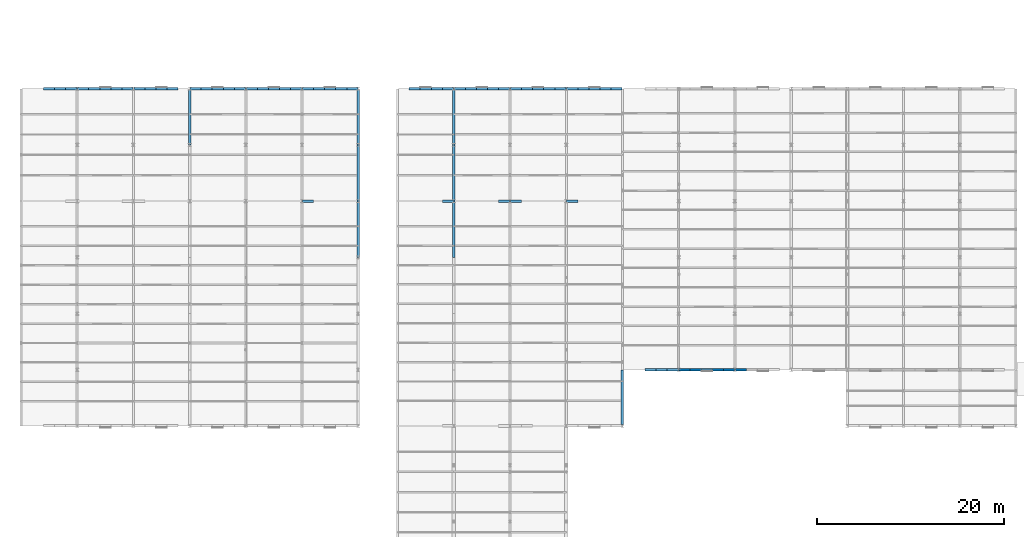
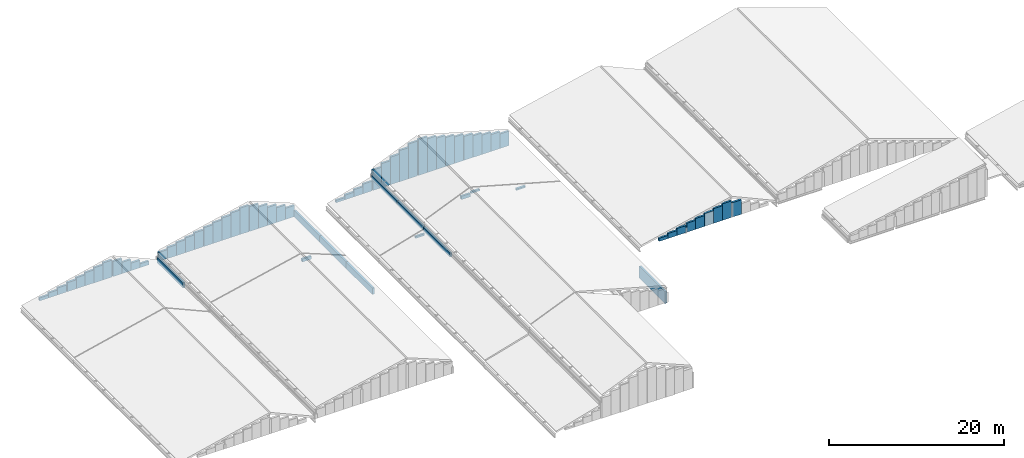
# One storey, part 63 of 74: 68 walls.
"""IFC4 building model written with IfcOpenShell, lengths in metres."""

from ifc_helpers import new_model, si_unit, direction, frame, frame_2d, origin, place, context, subcontext, project, spatial, rectangle, extrude, material, layer, layer_set, type_object, element, save


model = new_model("IFC4")

# Units and contexts
model_context = context("Model", 3, precision=1e-05, world=origin(), true_north=direction((0.0, 1.0)))
body_context = subcontext(model_context, "Body", "Model", "MODEL_VIEW")
ifc_project = project(units=[si_unit("LENGTHUNIT", "METRE"), si_unit("AREAUNIT", "SQUARE_METRE"), si_unit("VOLUMEUNIT", "CUBIC_METRE"), si_unit("PLANEANGLEUNIT", "RADIAN"), si_unit("MASSUNIT", "GRAM", prefix="KILO")], contexts=[model_context])

# Site, building, storey
site_placement = place(None, origin())
site = spatial("IfcSite", under=ifc_project, at=site_placement, CompositionType="ELEMENT")
building_placement = place(site_placement, origin())
building = spatial("IfcBuilding", under=site, at=building_placement, Name="Siltcreek Boulevard Central Fire Station", CompositionType="ELEMENT")
storey_placement = place(building_placement, frame((0.0, 0.0, 25.199951171875)))
storey = spatial("IfcBuildingStorey", under=building, at=storey_placement, Name="RF", CompositionType="ELEMENT", Elevation=25.199951171875)

# Walls
ifc_material = material(Name="Western Red Cedar insulated gable wall", Category="wood")
ifc_layer = layer(ifc_material, 0.264892578125, Name="Western Red Cedar insulated gable wall")
ifc_layer_set = layer_set([ifc_layer], Name="Western Red Cedar insulated gable wall")
wall_type = type_object("IfcWallType", Name="EW_CEDAR265", PredefinedType="STANDARD", material=ifc_layer_set)
wall_1_placement = place(storey_placement, frame((47.955078125, 42.0, -14.125), z_axis=(0.0, 0.0, 1.0), x_axis=(-1.0, 0.0, 0.0)))
element("IfcWall", 1, at=wall_1_placement, inside=storey, type_object=wall_type, Name="Roof gable timber-lined enclosure wall RF-H3-HL-0006", PredefinedType="STANDARD", context=body_context, shape_type="SweptSolid", body=[
    extrude(rectangle(XDim=1.18212890625, YDim=0.264892578125, at=frame_2d((0.591064453125, 0.0))), origin(), (0.0, 0.0, 1.0), 0.246826171875),
])
wall_2_placement = place(storey_placement, frame((44.408935546875, 54.0, -15.199951171875), z_axis=(0.0, 0.0, 1.0), x_axis=(-1.0, 0.0, 0.0)))
element("IfcWall", 2, at=wall_2_placement, inside=storey, type_object=wall_type, Name="Roof gable timber-lined enclosure wall RF-H3-DC-0007", PredefinedType="STANDARD", context=body_context, shape_type="SweptSolid", body=[
    extrude(rectangle(XDim=1.181884765625, YDim=0.264892578125, at=frame_2d((0.5908203125, 0.0))), origin(), (0.0, 0.0, 1.0), 0.308349609375),
])
wall_3_placement = place(storey_placement, frame((45.591064453125, 54.0, -15.199951171875), z_axis=(0.0, 0.0, 1.0), x_axis=(-1.0, 0.0, 0.0)))
element("IfcWall", 3, at=wall_3_placement, inside=storey, type_object=wall_type, Name="Roof gable timber-lined enclosure wall RF-H3-DC-0008", PredefinedType="STANDARD", context=body_context, shape_type="SweptSolid", body=[
    extrude(rectangle(XDim=1.18212890625, YDim=0.264892578125, at=frame_2d((0.591064453125, 0.0))), origin(), (0.0, 0.0, 1.0), 0.653076171875),
])
wall_4_placement = place(storey_placement, frame((46.77294921875, 54.0, -15.199951171875), z_axis=(0.0, 0.0, 1.0), x_axis=(-1.0, 0.0, 0.0)))
element("IfcWall", 4, at=wall_4_placement, inside=storey, type_object=wall_type, Name="Roof gable timber-lined enclosure wall RF-H3-DC-0009", PredefinedType="STANDARD", context=body_context, shape_type="SweptSolid", body=[
    extrude(rectangle(XDim=1.181884765625, YDim=0.264892578125, at=frame_2d((0.5908203125, 0.0))), origin(), (0.0, 0.0, 1.0), 0.997802734375),
])
wall_5_placement = place(storey_placement, frame((47.955078125, 54.0, -15.199951171875), z_axis=(0.0, 0.0, 1.0), x_axis=(-1.0, 0.0, 0.0)))
element("IfcWall", 5, at=wall_5_placement, inside=storey, type_object=wall_type, Name="Roof gable timber-lined enclosure wall RF-H3-DC-0010", PredefinedType="STANDARD", context=body_context, shape_type="SweptSolid", body=[
    extrude(rectangle(XDim=1.18212890625, YDim=0.264892578125, at=frame_2d((0.591064453125, 0.0))), origin(), (0.0, 0.0, 1.0), 1.342529296875),
])
wall_6_placement = place(storey_placement, frame((53.955078125, 42.0, -10.849853515625), z_axis=(0.0, 0.0, 1.0), x_axis=(-1.0, 0.0, 0.0)))
element("IfcWall", 6, at=wall_6_placement, inside=storey, type_object=wall_type, Name="Roof gable timber-lined enclosure wall RF-H4W-HL-0028", PredefinedType="STANDARD", context=body_context, shape_type="SweptSolid", body=[
    extrude(rectangle(XDim=1.18212890625, YDim=0.264892578125, at=frame_2d((0.591064453125, 0.0))), origin(), (0.0, 0.0, 1.0), 0.457763671875),
])
wall_7_placement = place(storey_placement, frame((48.0, 42.0, -13.56494140625), z_axis=(0.0, 0.0, 1.0), x_axis=(0.0, -1.0, 0.0)))
element("IfcWall", 7, at=wall_7_placement, inside=storey, type_object=wall_type, Name="Roof step cheek enclosure wall RF-H4W-HL-0032", PredefinedType="STANDARD", context=body_context, shape_type="SweptSolid", body=[
    extrude(rectangle(XDim=6.0, YDim=0.264892578125, at=frame_2d((3.0, 0.0))), origin(), (0.0, 0.0, 1.0), 0.556884765625),
])
wall_8_placement = place(storey_placement, frame((55.22705078125, 42.0, -10.4375), z_axis=(0.0, 0.0, 1.0), x_axis=(-1.0, 0.0, 0.0)))
element("IfcWall", 8, at=wall_8_placement, inside=storey, type_object=wall_type, Name="Roof gable timber-lined enclosure wall RF-H4E-HL-0040", PredefinedType="STANDARD", context=body_context, shape_type="SweptSolid", body=[
    extrude(rectangle(XDim=1.18212890625, YDim=0.264892578125, at=frame_2d((0.591064453125, 0.0))), origin(), (0.0, 0.0, 1.0), 0.225341796875),
])
wall_9_placement = place(storey_placement, frame((61.22705078125, 42.0, -12.112548828125), z_axis=(0.0, 0.0, 1.0), x_axis=(-1.0, 0.0, 0.0)))
element("IfcWall", 9, at=wall_9_placement, inside=storey, type_object=wall_type, Name="Roof gable timber-lined enclosure wall RF-H4E-HL-0041", PredefinedType="STANDARD", context=body_context, shape_type="SweptSolid", body=[
    extrude(rectangle(XDim=1.18212890625, YDim=0.264892578125, at=frame_2d((0.591064453125, 0.0))), origin(), (0.0, 0.0, 1.0), 0.2255859375),
])
wall_10_placement = place(storey_placement, frame((66.0, 18.132568359375, -15.47998046875), z_axis=(0.0, 0.0, 1.0), x_axis=(0.0, 1.0, 0.0)))
element("IfcWall", 10, at=wall_10_placement, inside=storey, type_object=wall_type, Name="Roof step cheek enclosure wall RF-H4E-HL-0042", PredefinedType="STANDARD", context=body_context, shape_type="SweptSolid", body=[
    extrude(rectangle(XDim=5.867431640625, YDim=0.264892578125, at=frame_2d((2.93359375, 0.0))), origin(), (0.0, 0.0, 1.0), 1.650390625),
])
wall_11_placement = place(storey_placement, frame((49.22705078125, 54.0, -15.199951171875), z_axis=(0.0, 0.0, 1.0), x_axis=(-1.0, 0.0, 0.0)))
element("IfcWall", 11, at=wall_11_placement, inside=storey, type_object=wall_type, Name="Roof gable timber-lined enclosure wall RF-H4W-DC-0043", PredefinedType="STANDARD", context=body_context, shape_type="SweptSolid", body=[
    extrude(rectangle(XDim=1.18212890625, YDim=0.264892578125, at=frame_2d((0.591064453125, 0.0))), origin(), (0.0, 0.0, 1.0), 2.859619140625),
])
wall_12_placement = place(storey_placement, frame((50.408935546875, 54.0, -15.199951171875), z_axis=(0.0, 0.0, 1.0), x_axis=(-1.0, 0.0, 0.0)))
element("IfcWall", 12, at=wall_12_placement, inside=storey, type_object=wall_type, Name="Roof gable timber-lined enclosure wall RF-H4W-DC-0044", PredefinedType="STANDARD", context=body_context, shape_type="SweptSolid", body=[
    extrude(rectangle(XDim=1.181884765625, YDim=0.264892578125, at=frame_2d((0.5908203125, 0.0))), origin(), (0.0, 0.0, 1.0), 3.35205078125),
])
wall_13_placement = place(storey_placement, frame((51.591064453125, 54.0, -15.199951171875), z_axis=(0.0, 0.0, 1.0), x_axis=(-1.0, 0.0, 0.0)))
element("IfcWall", 13, at=wall_13_placement, inside=storey, type_object=wall_type, Name="Roof gable timber-lined enclosure wall RF-H4W-DC-0045", PredefinedType="STANDARD", context=body_context, shape_type="SweptSolid", body=[
    extrude(rectangle(XDim=1.18212890625, YDim=0.264892578125, at=frame_2d((0.591064453125, 0.0))), origin(), (0.0, 0.0, 1.0), 3.844482421875),
])
wall_14_placement = place(storey_placement, frame((52.77294921875, 54.0, -15.199951171875), z_axis=(0.0, 0.0, 1.0), x_axis=(-1.0, 0.0, 0.0)))
element("IfcWall", 14, at=wall_14_placement, inside=storey, type_object=wall_type, Name="Roof gable timber-lined enclosure wall RF-H4W-DC-0046", PredefinedType="STANDARD", context=body_context, shape_type="SweptSolid", body=[
    extrude(rectangle(XDim=1.181884765625, YDim=0.264892578125, at=frame_2d((0.5908203125, 0.0))), origin(), (0.0, 0.0, 1.0), 4.337158203125),
])
wall_15_placement = place(storey_placement, frame((53.955078125, 54.0, -15.199951171875), z_axis=(0.0, 0.0, 1.0), x_axis=(-1.0, 0.0, 0.0)))
element("IfcWall", 15, at=wall_15_placement, inside=storey, type_object=wall_type, Name="Roof gable timber-lined enclosure wall RF-H4W-DC-0047", PredefinedType="STANDARD", context=body_context, shape_type="SweptSolid", body=[
    extrude(rectangle(XDim=1.18212890625, YDim=0.264892578125, at=frame_2d((0.591064453125, 0.0))), origin(), (0.0, 0.0, 1.0), 4.82958984375),
])
wall_16_placement = place(storey_placement, frame((48.0, 48.0, -13.544189453125), z_axis=(0.0, 0.0, 1.0), x_axis=(0.0, -1.0, 0.0)))
element("IfcWall", 16, at=wall_16_placement, inside=storey, type_object=wall_type, Name="Roof step cheek enclosure wall RF-H4W-DC-0048", PredefinedType="STANDARD", context=body_context, shape_type="SweptSolid", body=[
    extrude(rectangle(XDim=6.0, YDim=0.264892578125, at=frame_2d((3.0, 0.0))), origin(), (0.0, 0.0, 1.0), 0.5576171875),
])
wall_17_placement = place(storey_placement, frame((48.0, 53.867431640625, -13.544189453125), z_axis=(0.0, 0.0, 1.0), x_axis=(0.0, -1.0, 0.0)))
element("IfcWall", 17, at=wall_17_placement, inside=storey, type_object=wall_type, Name="Roof step cheek enclosure wall RF-H4W-DC-0049", PredefinedType="STANDARD", context=body_context, shape_type="SweptSolid", body=[
    extrude(rectangle(XDim=5.867431640625, YDim=0.264892578125, at=frame_2d((2.93359375, 0.0))), origin(), (0.0, 0.0, 1.0), 0.5576171875),
])
wall_18_placement = place(storey_placement, frame((55.22705078125, 54.0, -15.199951171875), z_axis=(0.0, 0.0, 1.0), x_axis=(-1.0, 0.0, 0.0)))
element("IfcWall", 18, at=wall_18_placement, inside=storey, type_object=wall_type, Name="Roof gable timber-lined enclosure wall RF-H4E-DC-0050", PredefinedType="STANDARD", context=body_context, shape_type="SweptSolid", body=[
    extrude(rectangle(XDim=1.18212890625, YDim=0.264892578125, at=frame_2d((0.591064453125, 0.0))), origin(), (0.0, 0.0, 1.0), 5.0087890625),
])
wall_19_placement = place(storey_placement, frame((56.408935546875, 54.0, -15.199951171875), z_axis=(0.0, 0.0, 1.0), x_axis=(-1.0, 0.0, 0.0)))
element("IfcWall", 19, at=wall_19_placement, inside=storey, type_object=wall_type, Name="Roof gable timber-lined enclosure wall RF-H4E-DC-0051", PredefinedType="STANDARD", context=body_context, shape_type="SweptSolid", body=[
    extrude(rectangle(XDim=1.181884765625, YDim=0.264892578125, at=frame_2d((0.5908203125, 0.0))), origin(), (0.0, 0.0, 1.0), 4.6787109375),
])
wall_20_placement = place(storey_placement, frame((57.591064453125, 54.0, -15.199951171875), z_axis=(0.0, 0.0, 1.0), x_axis=(-1.0, 0.0, 0.0)))
element("IfcWall", 20, at=wall_20_placement, inside=storey, type_object=wall_type, Name="Roof gable timber-lined enclosure wall RF-H4E-DC-0052", PredefinedType="STANDARD", context=body_context, shape_type="SweptSolid", body=[
    extrude(rectangle(XDim=1.18212890625, YDim=0.264892578125, at=frame_2d((0.591064453125, 0.0))), origin(), (0.0, 0.0, 1.0), 4.3486328125),
])
wall_21_placement = place(storey_placement, frame((58.77294921875, 54.0, -15.199951171875), z_axis=(0.0, 0.0, 1.0), x_axis=(-1.0, 0.0, 0.0)))
element("IfcWall", 21, at=wall_21_placement, inside=storey, type_object=wall_type, Name="Roof gable timber-lined enclosure wall RF-H4E-DC-0053", PredefinedType="STANDARD", context=body_context, shape_type="SweptSolid", body=[
    extrude(rectangle(XDim=1.181884765625, YDim=0.264892578125, at=frame_2d((0.5908203125, 0.0))), origin(), (0.0, 0.0, 1.0), 4.018798828125),
])
wall_22_placement = place(storey_placement, frame((59.955078125, 54.0, -15.199951171875), z_axis=(0.0, 0.0, 1.0), x_axis=(-1.0, 0.0, 0.0)))
element("IfcWall", 22, at=wall_22_placement, inside=storey, type_object=wall_type, Name="Roof gable timber-lined enclosure wall RF-H4E-DC-0054", PredefinedType="STANDARD", context=body_context, shape_type="SweptSolid", body=[
    extrude(rectangle(XDim=1.18212890625, YDim=0.264892578125, at=frame_2d((0.591064453125, 0.0))), origin(), (0.0, 0.0, 1.0), 3.688720703125),
])
wall_23_placement = place(storey_placement, frame((61.22705078125, 54.0, -15.199951171875), z_axis=(0.0, 0.0, 1.0), x_axis=(-1.0, 0.0, 0.0)))
element("IfcWall", 23, at=wall_23_placement, inside=storey, type_object=wall_type, Name="Roof gable timber-lined enclosure wall RF-H4E-DC-0055", PredefinedType="STANDARD", context=body_context, shape_type="SweptSolid", body=[
    extrude(rectangle(XDim=1.18212890625, YDim=0.264892578125, at=frame_2d((0.591064453125, 0.0))), origin(), (0.0, 0.0, 1.0), 3.333740234375),
])
wall_24_placement = place(storey_placement, frame((62.408935546875, 54.0, -15.199951171875), z_axis=(0.0, 0.0, 1.0), x_axis=(-1.0, 0.0, 0.0)))
element("IfcWall", 24, at=wall_24_placement, inside=storey, type_object=wall_type, Name="Roof gable timber-lined enclosure wall RF-H4E-DC-0056", PredefinedType="STANDARD", context=body_context, shape_type="SweptSolid", body=[
    extrude(rectangle(XDim=1.181884765625, YDim=0.264892578125, at=frame_2d((0.5908203125, 0.0))), origin(), (0.0, 0.0, 1.0), 3.003662109375),
])
wall_25_placement = place(storey_placement, frame((63.591064453125, 54.0, -15.199951171875), z_axis=(0.0, 0.0, 1.0), x_axis=(-1.0, 0.0, 0.0)))
element("IfcWall", 25, at=wall_25_placement, inside=storey, type_object=wall_type, Name="Roof gable timber-lined enclosure wall RF-H4E-DC-0057", PredefinedType="STANDARD", context=body_context, shape_type="SweptSolid", body=[
    extrude(rectangle(XDim=1.18212890625, YDim=0.264892578125, at=frame_2d((0.591064453125, 0.0))), origin(), (0.0, 0.0, 1.0), 2.673583984375),
])
wall_26_placement = place(storey_placement, frame((64.77294921875, 54.0, -15.199951171875), z_axis=(0.0, 0.0, 1.0), x_axis=(-1.0, 0.0, 0.0)))
element("IfcWall", 26, at=wall_26_placement, inside=storey, type_object=wall_type, Name="Roof gable timber-lined enclosure wall RF-H4E-DC-0058", PredefinedType="STANDARD", context=body_context, shape_type="SweptSolid", body=[
    extrude(rectangle(XDim=1.181884765625, YDim=0.264892578125, at=frame_2d((0.5908203125, 0.0))), origin(), (0.0, 0.0, 1.0), 2.34375),
])
wall_27_placement = place(storey_placement, frame((65.955078125, 54.0, -15.199951171875), z_axis=(0.0, 0.0, 1.0), x_axis=(-1.0, 0.0, 0.0)))
element("IfcWall", 27, at=wall_27_placement, inside=storey, type_object=wall_type, Name="Roof gable timber-lined enclosure wall RF-H4E-DC-0059", PredefinedType="STANDARD", context=body_context, shape_type="SweptSolid", body=[
    extrude(rectangle(XDim=1.18212890625, YDim=0.264892578125, at=frame_2d((0.591064453125, 0.0))), origin(), (0.0, 0.0, 1.0), 2.013916015625),
])
wall_28_placement = place(storey_placement, frame((68.408935546875, 24.0, -11.199951171875), z_axis=(0.0, 0.0, 1.0), x_axis=(1.0, 0.0, 0.0)))
element("IfcWall", 28, at=wall_28_placement, inside=storey, type_object=wall_type, Name="Roof gable timber-lined enclosure wall RF-H5W-0060", PredefinedType="STANDARD", context=body_context, shape_type="SweptSolid", body=[
    extrude(rectangle(XDim=1.18212890625, YDim=0.264892578125, at=frame_2d((0.591064453125, 0.0))), origin(), (0.0, 0.0, 1.0), 0.42578125),
])
wall_29_placement = place(storey_placement, frame((69.591064453125, 24.0, -11.199951171875), z_axis=(0.0, 0.0, 1.0), x_axis=(1.0, 0.0, 0.0)))
element("IfcWall", 29, at=wall_29_placement, inside=storey, type_object=wall_type, Name="Roof gable timber-lined enclosure wall RF-H5W-0061", PredefinedType="STANDARD", context=body_context, shape_type="SweptSolid", body=[
    extrude(rectangle(XDim=1.181884765625, YDim=0.264892578125, at=frame_2d((0.5908203125, 0.0))), origin(), (0.0, 0.0, 1.0), 0.691650390625),
])
wall_30_placement = place(storey_placement, frame((70.77294921875, 24.0, -11.199951171875), z_axis=(0.0, 0.0, 1.0), x_axis=(1.0, 0.0, 0.0)))
element("IfcWall", 30, at=wall_30_placement, inside=storey, type_object=wall_type, Name="Roof gable timber-lined enclosure wall RF-H5W-0062", PredefinedType="STANDARD", context=body_context, shape_type="SweptSolid", body=[
    extrude(rectangle(XDim=1.18212890625, YDim=0.264892578125, at=frame_2d((0.591064453125, 0.0))), origin(), (0.0, 0.0, 1.0), 0.957763671875),
])
wall_31_placement = place(storey_placement, frame((72.044921875, 24.0, -11.199951171875), z_axis=(0.0, 0.0, 1.0), x_axis=(1.0, 0.0, 0.0)))
element("IfcWall", 31, at=wall_31_placement, inside=storey, type_object=wall_type, Name="Roof gable timber-lined enclosure wall RF-H5W-0063", PredefinedType="STANDARD", context=body_context, shape_type="SweptSolid", body=[
    extrude(rectangle(XDim=1.18212890625, YDim=0.264892578125, at=frame_2d((0.591064453125, 0.0))), origin(), (0.0, 0.0, 1.0), 1.243896484375),
])
wall_32_placement = place(storey_placement, frame((73.22705078125, 24.0, -11.199951171875), z_axis=(0.0, 0.0, 1.0), x_axis=(1.0, 0.0, 0.0)))
element("IfcWall", 32, at=wall_32_placement, inside=storey, type_object=wall_type, Name="Roof gable timber-lined enclosure wall RF-H5W-0064", PredefinedType="STANDARD", context=body_context, shape_type="SweptSolid", body=[
    extrude(rectangle(XDim=1.181884765625, YDim=0.264892578125, at=frame_2d((0.5908203125, 0.0))), origin(), (0.0, 0.0, 1.0), 1.509765625),
])
wall_33_placement = place(storey_placement, frame((74.408935546875, 24.0, -11.199951171875), z_axis=(0.0, 0.0, 1.0), x_axis=(1.0, 0.0, 0.0)))
element("IfcWall", 33, at=wall_33_placement, inside=storey, type_object=wall_type, Name="Roof gable timber-lined enclosure wall RF-H5W-0065", PredefinedType="STANDARD", context=body_context, shape_type="SweptSolid", body=[
    extrude(rectangle(XDim=1.18212890625, YDim=0.264892578125, at=frame_2d((0.591064453125, 0.0))), origin(), (0.0, 0.0, 1.0), 1.77587890625),
])
wall_34_placement = place(storey_placement, frame((75.591064453125, 24.0, -11.199951171875), z_axis=(0.0, 0.0, 1.0), x_axis=(1.0, 0.0, 0.0)))
element("IfcWall", 34, at=wall_34_placement, inside=storey, type_object=wall_type, Name="Roof gable timber-lined enclosure wall RF-H5W-0066", PredefinedType="STANDARD", context=body_context, shape_type="SweptSolid", body=[
    extrude(rectangle(XDim=1.181884765625, YDim=0.264892578125, at=frame_2d((0.5908203125, 0.0))), origin(), (0.0, 0.0, 1.0), 2.041748046875),
])
wall_35_placement = place(storey_placement, frame((76.77294921875, 24.0, -11.199951171875), z_axis=(0.0, 0.0, 1.0), x_axis=(1.0, 0.0, 0.0)))
element("IfcWall", 35, at=wall_35_placement, inside=storey, type_object=wall_type, Name="Roof gable timber-lined enclosure wall RF-H5W-0067", PredefinedType="STANDARD", context=body_context, shape_type="SweptSolid", body=[
    extrude(rectangle(XDim=1.18212890625, YDim=0.264892578125, at=frame_2d((0.591064453125, 0.0))), origin(), (0.0, 0.0, 1.0), 2.3076171875),
])
wall_36_placement = place(storey_placement, frame((78.044921875, 24.0, -11.199951171875), z_axis=(0.0, 0.0, 1.0), x_axis=(1.0, 0.0, 0.0)))
element("IfcWall", 36, at=wall_36_placement, inside=storey, type_object=wall_type, Name="Roof gable timber-lined enclosure wall RF-H5E-0076", PredefinedType="STANDARD", context=body_context, shape_type="SweptSolid", body=[
    extrude(rectangle(XDim=1.18212890625, YDim=0.264892578125, at=frame_2d((0.591064453125, 0.0))), origin(), (0.0, 0.0, 1.0), 2.013671875),
])
wall_37_placement = place(storey_placement, frame((5.39111328125, 54.0, -15.199951171875), z_axis=(0.0, 0.0, 1.0), x_axis=(-1.0, 0.0, 0.0)))
element("IfcWall", 37, at=wall_37_placement, inside=storey, type_object=wall_type, Name="Roof gable timber-lined enclosure wall RF-H1W-N-0180", PredefinedType="STANDARD", context=body_context, shape_type="SweptSolid", body=[
    extrude(rectangle(XDim=1.18212890625, YDim=0.264892578125, at=frame_2d((0.591064453125, 0.0))), origin(), (0.0, 0.0, 1.0), 0.416015625),
])
wall_38_placement = place(storey_placement, frame((6.572998046875, 54.0, -15.199951171875), z_axis=(0.0, 0.0, 1.0), x_axis=(-1.0, 0.0, 0.0)))
element("IfcWall", 38, at=wall_38_placement, inside=storey, type_object=wall_type, Name="Roof gable timber-lined enclosure wall RF-H1W-N-0181", PredefinedType="STANDARD", context=body_context, shape_type="SweptSolid", body=[
    extrude(rectangle(XDim=1.181884765625, YDim=0.264892578125, at=frame_2d((0.5908203125, 0.0))), origin(), (0.0, 0.0, 1.0), 0.691650390625),
])
wall_39_placement = place(storey_placement, frame((7.7548828125, 54.0, -15.199951171875), z_axis=(0.0, 0.0, 1.0), x_axis=(-1.0, 0.0, 0.0)))
element("IfcWall", 39, at=wall_39_placement, inside=storey, type_object=wall_type, Name="Roof gable timber-lined enclosure wall RF-H1W-N-0182", PredefinedType="STANDARD", context=body_context, shape_type="SweptSolid", body=[
    extrude(rectangle(XDim=1.181884765625, YDim=0.264892578125, at=frame_2d((0.5908203125, 0.0))), origin(), (0.0, 0.0, 1.0), 0.967529296875),
])
wall_40_placement = place(storey_placement, frame((9.027099609375, 54.0, -15.199951171875), z_axis=(0.0, 0.0, 1.0), x_axis=(-1.0, 0.0, 0.0)))
element("IfcWall", 40, at=wall_40_placement, inside=storey, type_object=wall_type, Name="Roof gable timber-lined enclosure wall RF-H1W-N-0183", PredefinedType="STANDARD", context=body_context, shape_type="SweptSolid", body=[
    extrude(rectangle(XDim=1.18212890625, YDim=0.264892578125, at=frame_2d((0.591064453125, 0.0))), origin(), (0.0, 0.0, 1.0), 1.264404296875),
])
wall_41_placement = place(storey_placement, frame((10.208984375, 54.0, -15.199951171875), z_axis=(0.0, 0.0, 1.0), x_axis=(-1.0, 0.0, 0.0)))
element("IfcWall", 41, at=wall_41_placement, inside=storey, type_object=wall_type, Name="Roof gable timber-lined enclosure wall RF-H1W-N-0184", PredefinedType="STANDARD", context=body_context, shape_type="SweptSolid", body=[
    extrude(rectangle(XDim=1.181884765625, YDim=0.264892578125, at=frame_2d((0.5908203125, 0.0))), origin(), (0.0, 0.0, 1.0), 1.5400390625),
])
wall_42_placement = place(storey_placement, frame((11.39111328125, 54.0, -15.199951171875), z_axis=(0.0, 0.0, 1.0), x_axis=(-1.0, 0.0, 0.0)))
element("IfcWall", 42, at=wall_42_placement, inside=storey, type_object=wall_type, Name="Roof gable timber-lined enclosure wall RF-H1W-N-0185", PredefinedType="STANDARD", context=body_context, shape_type="SweptSolid", body=[
    extrude(rectangle(XDim=1.18212890625, YDim=0.264892578125, at=frame_2d((0.591064453125, 0.0))), origin(), (0.0, 0.0, 1.0), 1.81591796875),
])
wall_43_placement = place(storey_placement, frame((12.572998046875, 54.0, -15.199951171875), z_axis=(0.0, 0.0, 1.0), x_axis=(-1.0, 0.0, 0.0)))
element("IfcWall", 43, at=wall_43_placement, inside=storey, type_object=wall_type, Name="Roof gable timber-lined enclosure wall RF-H1W-N-0186", PredefinedType="STANDARD", context=body_context, shape_type="SweptSolid", body=[
    extrude(rectangle(XDim=1.181884765625, YDim=0.264892578125, at=frame_2d((0.5908203125, 0.0))), origin(), (0.0, 0.0, 1.0), 2.091796875),
])
wall_44_placement = place(storey_placement, frame((13.7548828125, 54.0, -15.199951171875), z_axis=(0.0, 0.0, 1.0), x_axis=(-1.0, 0.0, 0.0)))
element("IfcWall", 44, at=wall_44_placement, inside=storey, type_object=wall_type, Name="Roof gable timber-lined enclosure wall RF-H1W-N-0187", PredefinedType="STANDARD", context=body_context, shape_type="SweptSolid", body=[
    extrude(rectangle(XDim=1.181884765625, YDim=0.264892578125, at=frame_2d((0.5908203125, 0.0))), origin(), (0.0, 0.0, 1.0), 2.367431640625),
])
wall_45_placement = place(storey_placement, frame((15.027099609375, 54.0, -15.199951171875), z_axis=(0.0, 0.0, 1.0), x_axis=(-1.0, 0.0, 0.0)))
element("IfcWall", 45, at=wall_45_placement, inside=storey, type_object=wall_type, Name="Roof gable timber-lined enclosure wall RF-H1E-N-0188", PredefinedType="STANDARD", context=body_context, shape_type="SweptSolid", body=[
    extrude(rectangle(XDim=1.18212890625, YDim=0.264892578125, at=frame_2d((0.591064453125, 0.0))), origin(), (0.0, 0.0, 1.0), 2.0966796875),
])
wall_46_placement = place(storey_placement, frame((16.208984375, 54.0, -15.199951171875), z_axis=(0.0, 0.0, 1.0), x_axis=(-1.0, 0.0, 0.0)))
element("IfcWall", 46, at=wall_46_placement, inside=storey, type_object=wall_type, Name="Roof gable timber-lined enclosure wall RF-H1E-N-0189", PredefinedType="STANDARD", context=body_context, shape_type="SweptSolid", body=[
    extrude(rectangle(XDim=1.181884765625, YDim=0.264892578125, at=frame_2d((0.5908203125, 0.0))), origin(), (0.0, 0.0, 1.0), 1.57470703125),
])
wall_47_placement = place(storey_placement, frame((17.39111328125, 54.0, -15.199951171875), z_axis=(0.0, 0.0, 1.0), x_axis=(-1.0, 0.0, 0.0)))
element("IfcWall", 47, at=wall_47_placement, inside=storey, type_object=wall_type, Name="Roof gable timber-lined enclosure wall RF-H1E-N-0190", PredefinedType="STANDARD", context=body_context, shape_type="SweptSolid", body=[
    extrude(rectangle(XDim=1.18212890625, YDim=0.264892578125, at=frame_2d((0.591064453125, 0.0))), origin(), (0.0, 0.0, 1.0), 1.052490234375),
])
wall_48_placement = place(storey_placement, frame((18.572998046875, 54.0, -15.199951171875), z_axis=(0.0, 0.0, 1.0), x_axis=(-1.0, 0.0, 0.0)))
element("IfcWall", 48, at=wall_48_placement, inside=storey, type_object=wall_type, Name="Roof gable timber-lined enclosure wall RF-H1E-N-0191", PredefinedType="STANDARD", context=body_context, shape_type="SweptSolid", body=[
    extrude(rectangle(XDim=1.181884765625, YDim=0.264892578125, at=frame_2d((0.5908203125, 0.0))), origin(), (0.0, 0.0, 1.0), 0.530517578125),
])
wall_49_placement = place(storey_placement, frame((33.027099609375, 42.0, -12.199951171875), z_axis=(0.0, 0.0, 1.0), x_axis=(-1.0, 0.0, 0.0)))
element("IfcWall", 49, at=wall_49_placement, inside=storey, type_object=wall_type, Name="Roof gable timber-lined enclosure wall RF-H2E-S-0211", PredefinedType="STANDARD", context=body_context, shape_type="SweptSolid", body=[
    extrude(rectangle(XDim=1.18212890625, YDim=0.264892578125, at=frame_2d((0.591064453125, 0.0))), origin(), (0.0, 0.0, 1.0), 0.429931640625),
])
wall_50_placement = place(storey_placement, frame((37.800048828125, 36.0, -15.199951171875), z_axis=(0.0, 0.0, 1.0), x_axis=(0.0, 1.0, 0.0)))
element("IfcWall", 50, at=wall_50_placement, inside=storey, type_object=wall_type, Name="Roof step cheek enclosure wall RF-H2E-S-0215", PredefinedType="STANDARD", context=body_context, shape_type="SweptSolid", body=[
    extrude(rectangle(XDim=6.0, YDim=0.264892578125, at=frame_2d((3.0, 0.0))), origin(), (0.0, 0.0, 1.0), 0.8955078125),
])
wall_51_placement = place(storey_placement, frame((21.027099609375, 54.0, -15.199951171875), z_axis=(0.0, 0.0, 1.0), x_axis=(-1.0, 0.0, 0.0)))
element("IfcWall", 51, at=wall_51_placement, inside=storey, type_object=wall_type, Name="Roof gable timber-lined enclosure wall RF-H2W-N-0216", PredefinedType="STANDARD", context=body_context, shape_type="SweptSolid", body=[
    extrude(rectangle(XDim=1.18212890625, YDim=0.264892578125, at=frame_2d((0.591064453125, 0.0))), origin(), (0.0, 0.0, 1.0), 1.264404296875),
])
wall_52_placement = place(storey_placement, frame((22.208984375, 54.0, -15.199951171875), z_axis=(0.0, 0.0, 1.0), x_axis=(-1.0, 0.0, 0.0)))
element("IfcWall", 52, at=wall_52_placement, inside=storey, type_object=wall_type, Name="Roof gable timber-lined enclosure wall RF-H2W-N-0217", PredefinedType="STANDARD", context=body_context, shape_type="SweptSolid", body=[
    extrude(rectangle(XDim=1.181884765625, YDim=0.264892578125, at=frame_2d((0.5908203125, 0.0))), origin(), (0.0, 0.0, 1.0), 1.5302734375),
])
wall_53_placement = place(storey_placement, frame((23.39111328125, 54.0, -15.199951171875), z_axis=(0.0, 0.0, 1.0), x_axis=(-1.0, 0.0, 0.0)))
element("IfcWall", 53, at=wall_53_placement, inside=storey, type_object=wall_type, Name="Roof gable timber-lined enclosure wall RF-H2W-N-0218", PredefinedType="STANDARD", context=body_context, shape_type="SweptSolid", body=[
    extrude(rectangle(XDim=1.18212890625, YDim=0.264892578125, at=frame_2d((0.591064453125, 0.0))), origin(), (0.0, 0.0, 1.0), 1.79638671875),
])
wall_54_placement = place(storey_placement, frame((24.572998046875, 54.0, -15.199951171875), z_axis=(0.0, 0.0, 1.0), x_axis=(-1.0, 0.0, 0.0)))
element("IfcWall", 54, at=wall_54_placement, inside=storey, type_object=wall_type, Name="Roof gable timber-lined enclosure wall RF-H2W-N-0219", PredefinedType="STANDARD", context=body_context, shape_type="SweptSolid", body=[
    extrude(rectangle(XDim=1.181884765625, YDim=0.264892578125, at=frame_2d((0.5908203125, 0.0))), origin(), (0.0, 0.0, 1.0), 2.062255859375),
])
wall_55_placement = place(storey_placement, frame((25.7548828125, 54.0, -15.199951171875), z_axis=(0.0, 0.0, 1.0), x_axis=(-1.0, 0.0, 0.0)))
element("IfcWall", 55, at=wall_55_placement, inside=storey, type_object=wall_type, Name="Roof gable timber-lined enclosure wall RF-H2W-N-0220", PredefinedType="STANDARD", context=body_context, shape_type="SweptSolid", body=[
    extrude(rectangle(XDim=1.181884765625, YDim=0.264892578125, at=frame_2d((0.5908203125, 0.0))), origin(), (0.0, 0.0, 1.0), 2.328125),
])
wall_56_placement = place(storey_placement, frame((27.027099609375, 54.0, -15.199951171875), z_axis=(0.0, 0.0, 1.0), x_axis=(-1.0, 0.0, 0.0)))
element("IfcWall", 56, at=wall_56_placement, inside=storey, type_object=wall_type, Name="Roof gable timber-lined enclosure wall RF-H2W-N-0221", PredefinedType="STANDARD", context=body_context, shape_type="SweptSolid", body=[
    extrude(rectangle(XDim=1.18212890625, YDim=0.264892578125, at=frame_2d((0.591064453125, 0.0))), origin(), (0.0, 0.0, 1.0), 2.614501953125),
])
wall_57_placement = place(storey_placement, frame((28.208984375, 54.0, -15.199951171875), z_axis=(0.0, 0.0, 1.0), x_axis=(-1.0, 0.0, 0.0)))
element("IfcWall", 57, at=wall_57_placement, inside=storey, type_object=wall_type, Name="Roof gable timber-lined enclosure wall RF-H2W-N-0222", PredefinedType="STANDARD", context=body_context, shape_type="SweptSolid", body=[
    extrude(rectangle(XDim=1.181884765625, YDim=0.264892578125, at=frame_2d((0.5908203125, 0.0))), origin(), (0.0, 0.0, 1.0), 2.88037109375),
])
wall_58_placement = place(storey_placement, frame((29.39111328125, 54.0, -15.199951171875), z_axis=(0.0, 0.0, 1.0), x_axis=(-1.0, 0.0, 0.0)))
element("IfcWall", 58, at=wall_58_placement, inside=storey, type_object=wall_type, Name="Roof gable timber-lined enclosure wall RF-H2W-N-0223", PredefinedType="STANDARD", context=body_context, shape_type="SweptSolid", body=[
    extrude(rectangle(XDim=1.18212890625, YDim=0.264892578125, at=frame_2d((0.591064453125, 0.0))), origin(), (0.0, 0.0, 1.0), 3.146240234375),
])
wall_59_placement = place(storey_placement, frame((30.572998046875, 54.0, -15.199951171875), z_axis=(0.0, 0.0, 1.0), x_axis=(-1.0, 0.0, 0.0)))
element("IfcWall", 59, at=wall_59_placement, inside=storey, type_object=wall_type, Name="Roof gable timber-lined enclosure wall RF-H2W-N-0224", PredefinedType="STANDARD", context=body_context, shape_type="SweptSolid", body=[
    extrude(rectangle(XDim=1.181884765625, YDim=0.264892578125, at=frame_2d((0.5908203125, 0.0))), origin(), (0.0, 0.0, 1.0), 3.412109375),
])
wall_60_placement = place(storey_placement, frame((31.7548828125, 54.0, -15.199951171875), z_axis=(0.0, 0.0, 1.0), x_axis=(-1.0, 0.0, 0.0)))
element("IfcWall", 60, at=wall_60_placement, inside=storey, type_object=wall_type, Name="Roof gable timber-lined enclosure wall RF-H2W-N-0225", PredefinedType="STANDARD", context=body_context, shape_type="SweptSolid", body=[
    extrude(rectangle(XDim=1.181884765625, YDim=0.264892578125, at=frame_2d((0.5908203125, 0.0))), origin(), (0.0, 0.0, 1.0), 3.67822265625),
])
wall_61_placement = place(storey_placement, frame((19.800048828125, 53.867431640625, -15.27490234375), z_axis=(0.0, 0.0, 1.0), x_axis=(0.0, -1.0, 0.0)))
element("IfcWall", 61, at=wall_61_placement, inside=storey, type_object=wall_type, Name="Roof step cheek enclosure wall RF-H2W-N-0227", PredefinedType="STANDARD", context=body_context, shape_type="SweptSolid", body=[
    extrude(rectangle(XDim=5.867431640625, YDim=0.264892578125, at=frame_2d((2.93359375, 0.0))), origin(), (0.0, 0.0, 1.0), 0.725830078125),
])
wall_62_placement = place(storey_placement, frame((33.027099609375, 54.0, -15.199951171875), z_axis=(0.0, 0.0, 1.0), x_axis=(-1.0, 0.0, 0.0)))
element("IfcWall", 62, at=wall_62_placement, inside=storey, type_object=wall_type, Name="Roof gable timber-lined enclosure wall RF-H2E-N-0228", PredefinedType="STANDARD", context=body_context, shape_type="SweptSolid", body=[
    extrude(rectangle(XDim=1.18212890625, YDim=0.264892578125, at=frame_2d((0.591064453125, 0.0))), origin(), (0.0, 0.0, 1.0), 3.451416015625),
])
wall_63_placement = place(storey_placement, frame((34.208984375, 54.0, -15.199951171875), z_axis=(0.0, 0.0, 1.0), x_axis=(-1.0, 0.0, 0.0)))
element("IfcWall", 63, at=wall_63_placement, inside=storey, type_object=wall_type, Name="Roof gable timber-lined enclosure wall RF-H2E-N-0229", PredefinedType="STANDARD", context=body_context, shape_type="SweptSolid", body=[
    extrude(rectangle(XDim=1.181884765625, YDim=0.264892578125, at=frame_2d((0.5908203125, 0.0))), origin(), (0.0, 0.0, 1.0), 2.978759765625),
])
wall_64_placement = place(storey_placement, frame((35.39111328125, 54.0, -15.199951171875), z_axis=(0.0, 0.0, 1.0), x_axis=(-1.0, 0.0, 0.0)))
element("IfcWall", 64, at=wall_64_placement, inside=storey, type_object=wall_type, Name="Roof gable timber-lined enclosure wall RF-H2E-N-0230", PredefinedType="STANDARD", context=body_context, shape_type="SweptSolid", body=[
    extrude(rectangle(XDim=1.18212890625, YDim=0.264892578125, at=frame_2d((0.591064453125, 0.0))), origin(), (0.0, 0.0, 1.0), 2.505859375),
])
wall_65_placement = place(storey_placement, frame((36.572998046875, 54.0, -15.199951171875), z_axis=(0.0, 0.0, 1.0), x_axis=(-1.0, 0.0, 0.0)))
element("IfcWall", 65, at=wall_65_placement, inside=storey, type_object=wall_type, Name="Roof gable timber-lined enclosure wall RF-H2E-N-0231", PredefinedType="STANDARD", context=body_context, shape_type="SweptSolid", body=[
    extrude(rectangle(XDim=1.181884765625, YDim=0.264892578125, at=frame_2d((0.5908203125, 0.0))), origin(), (0.0, 0.0, 1.0), 2.033203125),
])
wall_66_placement = place(storey_placement, frame((37.7548828125, 54.0, -15.199951171875), z_axis=(0.0, 0.0, 1.0), x_axis=(-1.0, 0.0, 0.0)))
element("IfcWall", 66, at=wall_66_placement, inside=storey, type_object=wall_type, Name="Roof gable timber-lined enclosure wall RF-H2E-N-0232", PredefinedType="STANDARD", context=body_context, shape_type="SweptSolid", body=[
    extrude(rectangle(XDim=1.181884765625, YDim=0.264892578125, at=frame_2d((0.5908203125, 0.0))), origin(), (0.0, 0.0, 1.0), 1.560302734375),
])
wall_67_placement = place(storey_placement, frame((37.800048828125, 42.0, -15.199951171875), z_axis=(0.0, 0.0, 1.0), x_axis=(0.0, 1.0, 0.0)))
element("IfcWall", 67, at=wall_67_placement, inside=storey, type_object=wall_type, Name="Roof step cheek enclosure wall RF-H2E-N-0233", PredefinedType="STANDARD", context=body_context, shape_type="SweptSolid", body=[
    extrude(rectangle(XDim=6.0, YDim=0.264892578125, at=frame_2d((3.0, 0.0))), origin(), (0.0, 0.0, 1.0), 0.9169921875),
])
wall_68_placement = place(storey_placement, frame((37.800048828125, 48.0, -15.199951171875), z_axis=(0.0, 0.0, 1.0), x_axis=(0.0, 1.0, 0.0)))
element("IfcWall", 68, at=wall_68_placement, inside=storey, type_object=wall_type, Name="Roof step cheek enclosure wall RF-H2E-N-0234", PredefinedType="STANDARD", context=body_context, shape_type="SweptSolid", body=[
    extrude(rectangle(XDim=5.867431640625, YDim=0.264892578125, at=frame_2d((2.93359375, 0.0))), origin(), (0.0, 0.0, 1.0), 0.9169921875),
])

save(model, "model.ifc")
